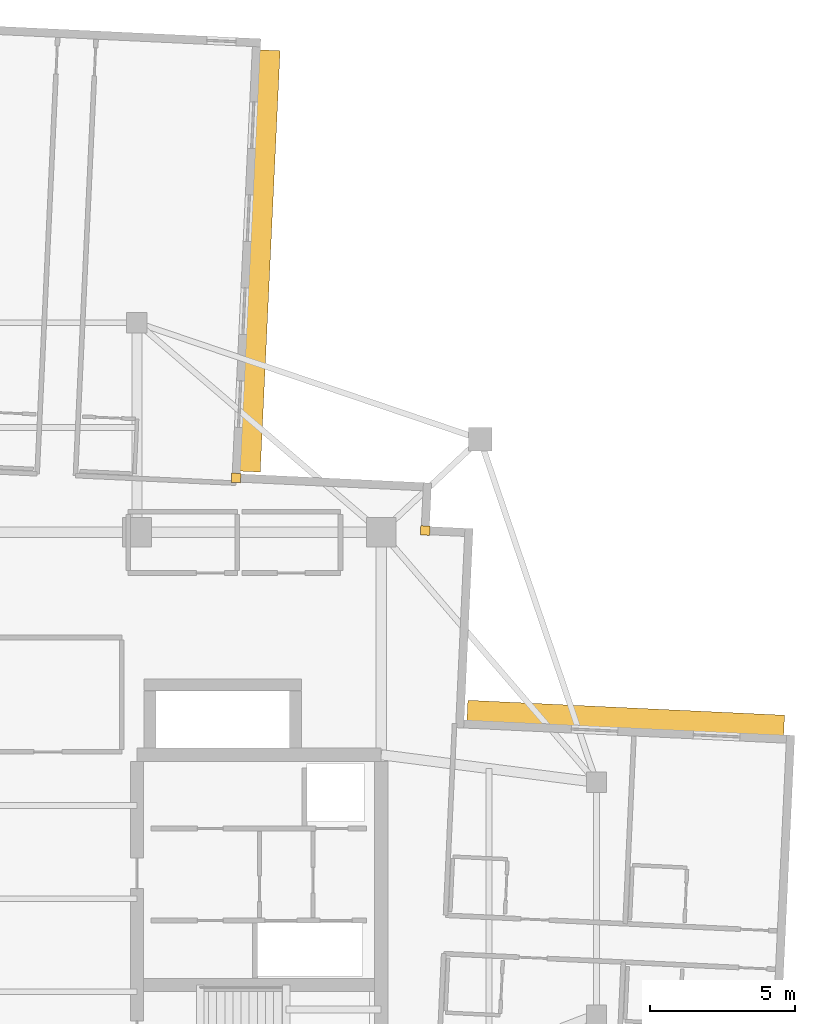
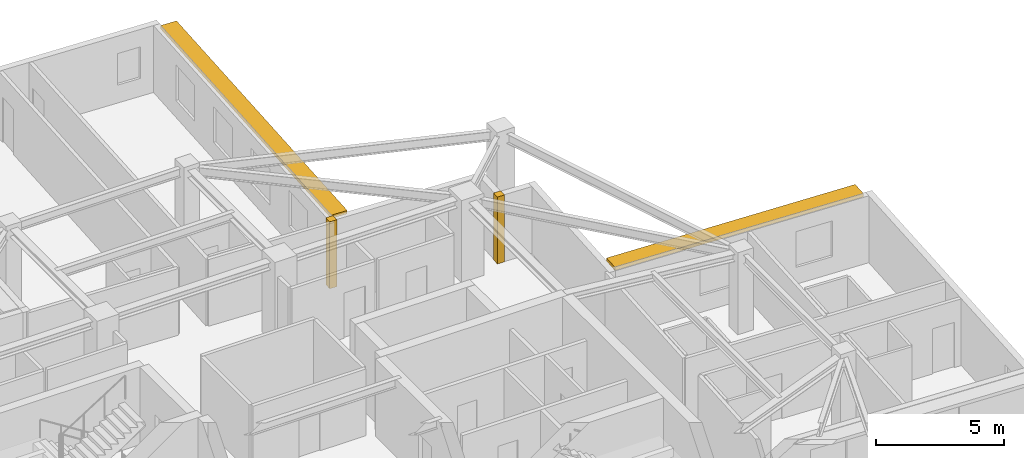
# One storey, part 12 of 12: 2 coverings, 2 shading devices.
"""IFC4 building model written with IfcOpenShell, lengths in metres."""

from ifc_helpers import new_model, si_unit, direction, frame, origin, origin_2d, place, context, subcontext, project, spatial, rectangle, extrude, material, layer, layer_set, type_object, element, save


model = new_model("IFC4")

# Units and contexts
model_context = context("Model", 3, precision=1e-05, world=origin(), true_north=direction((0.0, 1.0)))
body_context = subcontext(model_context, "Body", "Model", "MODEL_VIEW")
ifc_project = project(units=[si_unit("LENGTHUNIT", "METRE"), si_unit("AREAUNIT", "SQUARE_METRE"), si_unit("VOLUMEUNIT", "CUBIC_METRE"), si_unit("PLANEANGLEUNIT", "RADIAN"), si_unit("MASSUNIT", "GRAM", prefix="KILO")], contexts=[model_context])

# Site, building, storey
site_placement = place(None, origin())
site = spatial("IfcSite", under=ifc_project, at=site_placement, CompositionType="ELEMENT")
building_placement = place(site_placement, origin())
building = spatial("IfcBuilding", under=site, at=building_placement, Name="Qingluan Cross Belvedere", CompositionType="ELEMENT")
storey_placement = place(building_placement, frame((0.0, 0.0, 253.800048828125)))
storey = spatial("IfcBuildingStorey", under=building, at=storey_placement, Name="L63", CompositionType="ELEMENT", Elevation=253.800048828125)

# Coverings
ifc_material_1 = material(Name="Precast concrete C45", Category="concrete")
ifc_layer_1 = layer(ifc_material_1, 0.1201171875, Name="ConcreteSpandrelCladding_120")
ifc_layer_set_1 = layer_set([ifc_layer_1], Name="Precast concrete C45")
covering_type = type_object("IfcCoveringType", Name="ConcreteSpandrelCladding_120", PredefinedType="CLADDING", material=ifc_layer_set_1)
for number, where, z_axis, x_axis, name in (
    (1, (13.911865234375, 12.65869140625, 0.0), (0.0, 0.0, 1.0), (0.998889874962, -0.04710645071, 0.0), "Corner closure L63-NE1"),
    (2, (7.40966796875, 14.467041015625, 0.0), (0.0, 0.0, 1.0), (0.998889874962, -0.04710645071, 0.0), "Corner closure L63-NE2"),
):
    element("IfcCovering", number, at=place(storey_placement, frame(where, z_axis=z_axis, x_axis=x_axis)), inside=storey, type_object=covering_type, Name=name, PredefinedType="CLADDING", context=body_context, shape_type="SweptSolid", body=[
        extrude(rectangle(XDim=0.320068359375, YDim=0.320068359375, at=origin_2d()), origin(), (0.0, 0.0, 1.0), 3.179931640625),
    ])

# Shading devices
ifc_material_2 = material(Name="Precast concrete C45", Category="concrete")
ifc_layer_2 = layer(ifc_material_2, 0.139892578125, Name="ConcreteSunshadeBand_700")
ifc_layer_set_2 = layer_set([ifc_layer_2], Name="Precast concrete C45")
shading_device_type = type_object("IfcShadingDeviceType", Name="ConcreteSunshadeBand_700", PredefinedType="USERDEFINED", material=ifc_layer_set_2)
shading_device_1_placement = place(storey_placement, frame((20.805908203125, 6.216796875, 3.0), z_axis=(0.0, 0.0, 1.0), x_axis=(-0.998889781456, 0.047108433452, 0.0)))
element("IfcShadingDevice", 3, at=shading_device_1_placement, inside=storey, type_object=shading_device_type, Name="Concrete SUNSHADE L63-EB", ObjectType="SUNSHADE", PredefinedType="USERDEFINED", context=body_context, shape_type="SweptSolid", body=[
    extrude(rectangle(XDim=10.89990234375, YDim=0.699951171875, at=origin_2d()), origin(), (0.0, 0.0, 1.0), 0.159912109375),
])
shading_device_2_placement = place(storey_placement, frame((8.23193359375, 21.926513671875, 3.0), z_axis=(0.0, 0.0, 1.0), x_axis=(0.047109098032, 0.998889750114, 0.0)))
element("IfcShadingDevice", 4, at=shading_device_2_placement, inside=storey, type_object=shading_device_type, Name="Concrete SUNSHADE L63-NA", ObjectType="SUNSHADE", PredefinedType="USERDEFINED", context=body_context, shape_type="SweptSolid", body=[
    extrude(rectangle(XDim=14.5, YDim=0.699951171875, at=origin_2d()), origin(), (0.0, 0.0, 1.0), 0.159912109375),
])

save(model, "model.ifc")
